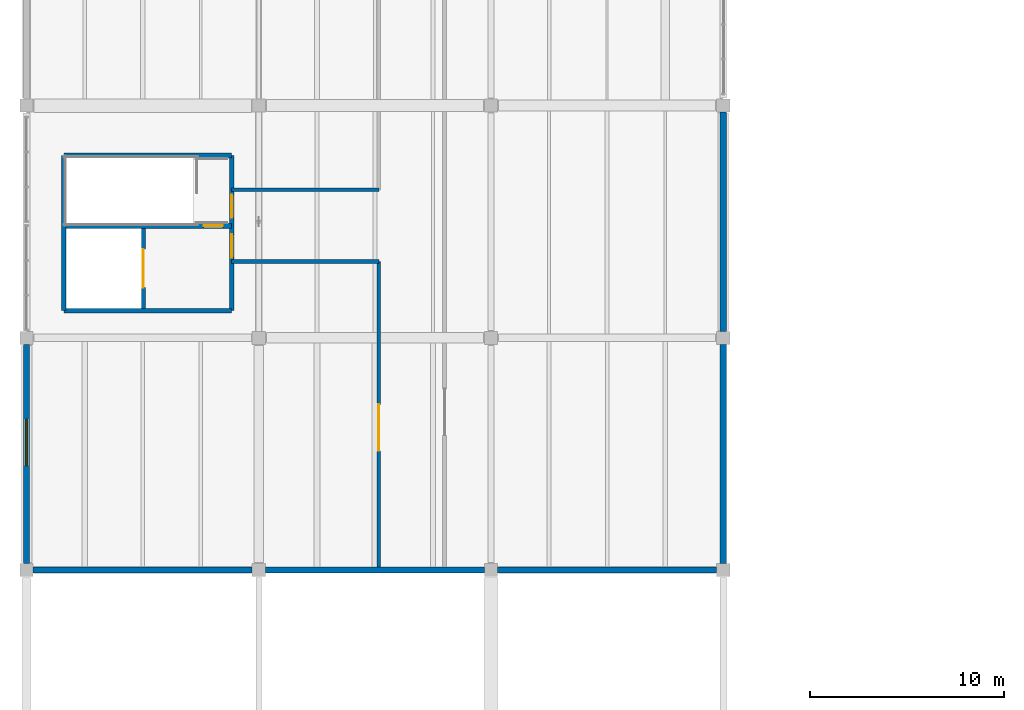
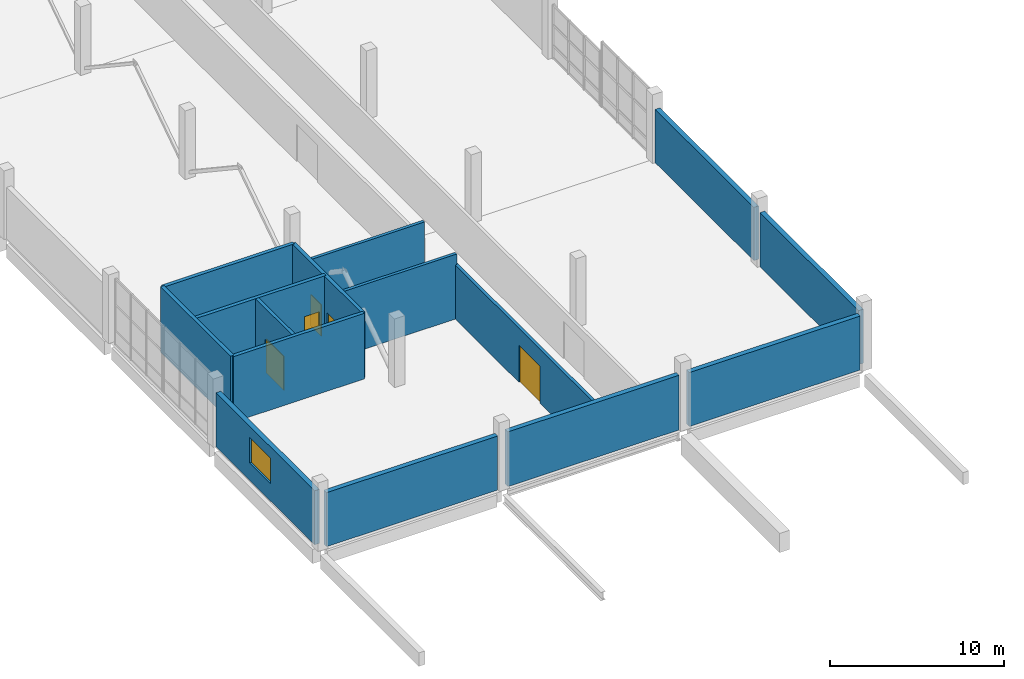
# One storey, part 37 of 49: 15 walls, 5 doors, 1 window, 6 openings.
"""IFC4 building model written with IfcOpenShell, lengths in metres."""

import ifcopenshell
import ifcopenshell.guid

model = None  # the IFC model being written
_history = None  # IfcOwnerHistory: only IFC2X3 demands one
_inside = {}  # id of a spatial element -> (the spatial element, [elements in it])
_under = {}  # id of a project, library or spatial element -> (it, [spatial elements below it])
_declared = {}  # id of a project -> (the project, [libraries it declares])
_typed = {}  # id of a type object -> (the type object, [elements of that type])
_made_of = {}  # id of a material, layer set ... -> (it, [elements and type objects made of it])


def new_model(schema):
    """Start an empty IFC model of exactly this schema.

    Asked for "IFC4X3", IfcOpenShell would pick the latest addendum, in which some entities
    have other attributes; the version numbers below select the first issue.
    IFC2X3 requires an IfcOwnerHistory on every rooted entity: one is made here for all.
    """
    global model, _history
    if schema == "IFC4X3":
        model = ifcopenshell.file(schema_version=(4, 3, 0, 0))
    else:
        model = ifcopenshell.file(schema=schema)
    _inside.clear()
    _under.clear()
    _declared.clear()
    _typed.clear()
    _made_of.clear()
    _history = None
    if model.schema == "IFC2X3":
        org = make("IfcOrganization", Name="unknown")
        user = make(
            "IfcPersonAndOrganization",
            ThePerson=make("IfcPerson", FamilyName="unknown"),
            TheOrganization=org,
        )
        app = make(
            "IfcApplication",
            ApplicationDeveloper=org,
            Version="unknown",
            ApplicationFullName="unknown",
            ApplicationIdentifier="unknown",
        )
        _history = make(
            "IfcOwnerHistory",
            OwningUser=user,
            OwningApplication=app,
            ChangeAction="ADDED",
            CreationDate=0,
        )
    return model


def make(cls, **values):
    """One entity of the class cls with the attributes given. An attribute that is None is left unset."""
    return model.create_entity(
        cls, **{name: value for name, value in values.items() if value is not None}
    )


def rooted(cls, **values):
    """An entity with a GlobalId (a new one), such as an element, a storey or a relation."""
    return make(cls, GlobalId=ifcopenshell.guid.new(), OwnerHistory=_history, **values)


def si_unit(unit_type, name, prefix=None):
    """IfcSIUnit, for example si_unit("LENGTHUNIT", "METRE", prefix="MILLI")."""
    return make("IfcSIUnit", UnitType=unit_type, Prefix=prefix, Name=name)


def assignment(units):
    """IfcUnitAssignment: the units of a project."""
    return None if units is None else make("IfcUnitAssignment", Units=units)


def point(xyz):
    """IfcCartesianPoint."""
    return None if xyz is None else make("IfcCartesianPoint", Coordinates=xyz)


def direction(xyz):
    """IfcDirection."""
    return None if xyz is None else make("IfcDirection", DirectionRatios=xyz)


def frame(location, z_axis=None, x_axis=None):
    """IfcAxis2Placement3D, a coordinate frame: its origin and axes. An axis left out is left unset."""
    return make(
        "IfcAxis2Placement3D",
        Location=point(location),
        Axis=direction(z_axis),
        RefDirection=direction(x_axis),
    )


def frame_2d(location, x_axis=None):
    """IfcAxis2Placement2D, a coordinate frame in the plane: its origin and x axis."""
    return make(
        "IfcAxis2Placement2D", Location=point(location), RefDirection=direction(x_axis)
    )


def origin():
    """The frame at (0, 0, 0) with its axes left unset."""
    return frame((0.0, 0.0, 0.0))


def place(relative_to, where):
    """IfcLocalPlacement: puts the frame where relative to a parent placement (None: the world)."""
    return make(
        "IfcLocalPlacement", PlacementRelTo=relative_to, RelativePlacement=where
    )


def context(
    kind, dimensions, precision=None, world=None, true_north=None, identifier=None
):
    """IfcGeometricRepresentationContext, for example the 3D "Model" context."""
    return make(
        "IfcGeometricRepresentationContext",
        ContextIdentifier=identifier,
        ContextType=kind,
        CoordinateSpaceDimension=dimensions,
        Precision=precision,
        WorldCoordinateSystem=world,
        TrueNorth=true_north,
    )


def subcontext(parent, identifier, kind, view, scale=None):
    """IfcGeometricRepresentationSubContext, for example "Body" below "Model"."""
    return make(
        "IfcGeometricRepresentationSubContext",
        ContextIdentifier=identifier,
        ContextType=kind,
        ParentContext=parent,
        TargetScale=scale,
        TargetView=view,
    )


def project(units=None, contexts=None):
    """IfcProject with its units and contexts."""
    return rooted(
        "IfcProject",
        Name="project",
        RepresentationContexts=contexts,
        UnitsInContext=assignment(units),
    )


def spatial(cls, under=None, at=None, **own):
    """A site, building, storey or space (cls), placed at a placement, below another one or the project."""
    s = rooted(cls, ObjectPlacement=at, **own)
    if under is not None:
        _under.setdefault(under.id(), (under, []))[1].append(s)
    return s


def profile(cls, at=None, kind="AREA", **sizes):
    """A parametric profile (cls). Its sizes go by their IFC names, for example OverallWidth=200.0."""
    return make(cls, ProfileType=kind, Position=at, **sizes)


def rectangle(**sizes):
    """IfcRectangleProfileDef."""
    return profile("IfcRectangleProfileDef", **sizes)


def extrude(swept, where, along, depth):
    """IfcExtrudedAreaSolid: the profile swept, set in the frame where, extruded along a direction by depth."""
    return make(
        "IfcExtrudedAreaSolid",
        SweptArea=swept,
        Position=where,
        ExtrudedDirection=direction(along),
        Depth=depth,
    )


def shape(context_of_items, identifier, shape_type, items):
    """IfcShapeRepresentation: the items that make up one representation, for example the "Body"."""
    return make(
        "IfcShapeRepresentation",
        ContextOfItems=context_of_items,
        RepresentationIdentifier=identifier,
        RepresentationType=shape_type,
        Items=items,
    )


def material(Name=None, Category=None):
    """IfcMaterial."""
    return make("IfcMaterial", Name=Name, Category=Category)


def layer(
    of_material, thickness, ventilated=None, Name=None, Category=None, Priority=None
):
    """IfcMaterialLayer: one layer of a wall or slab, of a material (None: an air gap)."""
    return make(
        "IfcMaterialLayer",
        Material=of_material,
        LayerThickness=thickness,
        IsVentilated=ventilated,
        Name=Name,
        Category=Category,
        Priority=Priority,
    )


def layer_set(layers, Name=None):
    """IfcMaterialLayerSet."""
    return make("IfcMaterialLayerSet", MaterialLayers=layers, LayerSetName=Name)


def made_of(thing, what):
    """Note that an element or type object is made of a material, layer set ...; save() writes the relation."""
    if what is not None:
        _made_of.setdefault(what.id(), (what, []))[1].append(thing)
    return thing


def type_object(cls, material=None, **own):
    """A type object (cls), such as IfcWallType, which elements share."""
    return made_of(rooted(cls, **own), material)


def element(
    cls,
    number,
    at=None,
    inside=None,
    cuts=None,
    type_object=None,
    material=None,
    context=None,
    identifier="Body",
    shape_type=None,
    held_by="IfcProductDefinitionShape",
    body=None,
    shapes=None,
    **own,
):
    """One element of the class cls, such as IfcWall. Its Tag is "e" and its number.

    at: its placement. inside: the storey or other place that contains it. cuts: it is an
    opening in that element (IfcRelVoidsElement). A single representation is given by context,
    identifier, shape_type and body (its items); several are given by shapes. held_by: the class
    of the entity that holds the representations. save() writes the other relations.
    """
    e = rooted(cls, Tag="e%d" % number, ObjectPlacement=at, **own)
    if body is not None:
        shapes = [shape(context, identifier, shape_type, body)]
    if shapes is not None:
        e.Representation = make(held_by, Representations=shapes)
    if inside is not None:
        _inside.setdefault(inside.id(), (inside, []))[1].append(e)
    if cuts is not None:
        rooted(
            "IfcRelVoidsElement", RelatingBuildingElement=cuts, RelatedOpeningElement=e
        )
    if type_object is not None:
        _typed.setdefault(type_object.id(), (type_object, []))[1].append(e)
    return made_of(e, material)


def fill(opening, filler):
    """IfcRelFillsElement: the door or window that sits in an opening."""
    return rooted(
        "IfcRelFillsElement",
        RelatingOpeningElement=opening,
        RelatedBuildingElement=filler,
    )


def aggregate(whole, parts):
    """IfcRelAggregates: a whole, such as a stair, and the parts it consists of."""
    return rooted("IfcRelAggregates", RelatingObject=whole, RelatedObjects=parts)


def save(model, path):
    """Write the relations noted so far, then the file.

    IfcRelAggregates (storeys below a building ...), IfcRelContainedInSpatialStructure (elements
    in a storey), IfcRelDefinesByType, IfcRelAssociatesMaterial and IfcRelDeclares: one each for
    every whole, place, type object, material and project.
    """
    for whole, parts in _under.values():
        aggregate(whole, parts)
    for where, things in _inside.values():
        rooted(
            "IfcRelContainedInSpatialStructure",
            RelatedElements=things,
            RelatingStructure=where,
        )
    for kind, things in _typed.values():
        rooted("IfcRelDefinesByType", RelatedObjects=things, RelatingType=kind)
    for what, things in _made_of.values():
        rooted("IfcRelAssociatesMaterial", RelatedObjects=things, RelatingMaterial=what)
    for by, libraries in _declared.values():
        rooted("IfcRelDeclares", RelatingContext=by, RelatedDefinitions=libraries)
    model.write(path)


model = new_model("IFC4")

# Units and contexts
model_context = context("Model", 3, precision=1e-05, world=origin(), true_north=direction((0.0, 1.0)))
body_context = subcontext(model_context, "Body", "Model", "MODEL_VIEW")
ifc_project = project(units=[si_unit("LENGTHUNIT", "METRE"), si_unit("AREAUNIT", "SQUARE_METRE"), si_unit("VOLUMEUNIT", "CUBIC_METRE"), si_unit("PLANEANGLEUNIT", "RADIAN"), si_unit("MASSUNIT", "GRAM", prefix="KILO")], contexts=[model_context])

# Site, building, storey
site_placement = place(None, origin())
site = spatial("IfcSite", under=ifc_project, at=site_placement, CompositionType="ELEMENT")
building_placement = place(site_placement, origin())
building = spatial("IfcBuilding", under=site, at=building_placement, Name="Kamomehara Wholesale Market", CompositionType="ELEMENT")
storey_placement = place(building_placement, frame((0.0, 0.0, 11.39990234375)))
storey = spatial("IfcBuildingStorey", under=building, at=storey_placement, Name="L02", CompositionType="ELEMENT", Elevation=11.39990234375)

# Wall, opening, window
ifc_material_1 = material(Name="Polyurethane insulated metal panel")
ifc_layer_1 = layer(ifc_material_1, 0.320068359375)
ifc_layer_set_1 = layer_set([ifc_layer_1], Name="Polyurethane insulated metal panel")
wall_type_1 = type_object("IfcWallType", Name="EW-CLD-320", PredefinedType="SOLIDWALL", material=ifc_layer_set_1)
wall_1_placement = place(storey_placement, frame((0.0, 48.340087890625, 0.0), z_axis=(0.0, 0.0, 1.0), x_axis=(0.0, 1.0, 0.0)))
wall_1 = element("IfcWall", 1, at=wall_1_placement, inside=storey, type_object=wall_type_1, Name="Exterior wall EW-CLD-320 43", PredefinedType="SOLIDWALL", context=body_context, shape_type="SweptSolid", body=[
    extrude(rectangle(XDim=11.31982421875, YDim=0.320068359375, at=frame_2d((5.659912109375, 0.0))), origin(), (0.0, 0.0, 1.0), 3.780029296875),
])
opening_1_placement = place(wall_1_placement, frame((5.06005859375, 0.0, 1.199951171875)))
opening_1 = element("IfcOpeningElement", 2, at=opening_1_placement, cuts=wall_1, Name="Opening WN-L02-005", PredefinedType="OPENING", context=body_context, shape_type="SweptSolid", body=[
    extrude(rectangle(XDim=2.39990234375, YDim=1.800048828125, at=frame_2d((1.199951171875, 0.89990234375))), frame((0.0, 0.1748046875, 0.0), z_axis=(0.0, -1.0, 0.0), x_axis=(1.0, 0.0, 0.0)), (0.0, 0.0, 1.0), 0.349853515625),
])
ifc_material_2 = material(Name="Solar-control Low-E double glazing", Category="glass")
window_type = type_object("IfcWindowType", Name="WIN-2400x1800", PartitioningType="SINGLE_PANEL", PredefinedType="WINDOW", material=ifc_material_2)
window_placement = place(opening_1_placement, origin())
window = element("IfcWindow", 3, at=window_placement, inside=storey, type_object=window_type, Name="Exterior window WN-L02-005", OverallHeight=1.800048828125, OverallWidth=2.39990234375, PartitioningType="SINGLE_PANEL", PredefinedType="WINDOW", context=body_context, shape_type="SweptSolid", body=[
    extrude(rectangle(XDim=2.39990234375, YDim=1.800048828125, at=frame_2d((1.199951171875, 0.89990234375))), frame((0.0, 0.030029296875, 0.0), z_axis=(0.0, -1.0, 0.0), x_axis=(1.0, 0.0, 0.0)), (0.0, 0.0, 1.0), 0.06005859375),
])
fill(opening_1, window)

# Walls
wall_2_placement = place(storey_placement, frame((11.659912109375, 48.0, 0.0), z_axis=(0.0, 0.0, 1.0), x_axis=(-1.0, 0.0, 0.0)))
element("IfcWall", 4, at=wall_2_placement, inside=storey, type_object=wall_type_1, Name="Exterior wall EW-CLD-320 48", PredefinedType="SOLIDWALL", context=body_context, shape_type="SweptSolid", body=[
    extrude(rectangle(XDim=11.31982421875, YDim=0.320068359375, at=frame_2d((5.659912109375, 0.0))), origin(), (0.0, 0.0, 1.0), 3.780029296875),
])
wall_3_placement = place(storey_placement, frame((23.659912109375, 48.0, 0.0), z_axis=(0.0, 0.0, 1.0), x_axis=(-1.0, 0.0, 0.0)))
element("IfcWall", 5, at=wall_3_placement, inside=storey, type_object=wall_type_1, Name="Exterior wall EW-CLD-320 50", PredefinedType="SOLIDWALL", context=body_context, shape_type="SweptSolid", body=[
    extrude(rectangle(XDim=11.31982421875, YDim=0.320068359375, at=frame_2d((5.659912109375, 0.0))), origin(), (0.0, 0.0, 1.0), 3.830078125),
])
for number, where, z_axis, x_axis, name in (
    (6, (35.659912109375, 48.0, 0.0), (0.0, 0.0, 1.0), (-1.0, 0.0, 0.0), "Exterior wall EW-CLD-320 52"),
    (7, (36.0, 59.659912109375, 0.0), (0.0, 0.0, 1.0), (0.0, -1.0, 0.0), "Exterior wall EW-CLD-320 53"),
):
    element("IfcWall", number, at=place(storey_placement, frame(where, z_axis=z_axis, x_axis=x_axis)), inside=storey, type_object=wall_type_1, Name=name, PredefinedType="SOLIDWALL", context=body_context, shape_type="SweptSolid", body=[
        extrude(rectangle(XDim=11.31982421875, YDim=0.320068359375, at=frame_2d((5.659912109375, 0.0))), origin(), (0.0, 0.0, 1.0), 3.780029296875),
    ])
wall_4_placement = place(storey_placement, frame((36.0, 71.659912109375, 0.0), z_axis=(0.0, 0.0, 1.0), x_axis=(0.0, -1.0, 0.0)))
element("IfcWall", 8, at=wall_4_placement, inside=storey, type_object=wall_type_1, Name="Exterior wall EW-CLD-320 54", PredefinedType="SOLIDWALL", context=body_context, shape_type="SweptSolid", body=[
    extrude(rectangle(XDim=11.31982421875, YDim=0.320068359375, at=frame_2d((5.659912109375, 0.0))), origin(), (0.0, 0.0, 1.0), 3.72998046875),
])

# Wall, opening, door
ifc_material_3 = material(Name="Gypsum board partition")
ifc_layer_2 = layer(ifc_material_3, 0.199951171875)
ifc_layer_set_2 = layer_set([ifc_layer_2], Name="Gypsum board partition")
wall_type_2 = type_object("IfcWallType", Name="IW-PRT-200", PredefinedType="PARTITIONING", material=ifc_layer_set_2)
wall_5_placement = place(storey_placement, frame((18.199951171875, 48.159912109375, 0.0), z_axis=(0.0, 0.0, 1.0), x_axis=(0.0, 1.0, 0.0)))
wall_5 = element("IfcWall", 9, at=wall_5_placement, inside=storey, type_object=wall_type_2, Name="Interior wall IW-PRT-200 343", PredefinedType="PARTITIONING", context=body_context, shape_type="SweptSolid", body=[
    extrude(rectangle(XDim=15.7900390625, YDim=0.199951171875, at=frame_2d((7.89501953125, 0.0))), origin(), (0.0, 0.0, 1.0), 3.78515625),
])
opening_2_placement = place(wall_5_placement, frame((6.0, 0.0, 0.0)))
opening_2 = element("IfcOpeningElement", 10, at=opening_2_placement, cuts=wall_5, Name="Opening ID-L02-215", PredefinedType="OPENING", context=body_context, shape_type="SweptSolid", body=[
    extrude(rectangle(XDim=2.39990234375, YDim=2.60009765625, at=frame_2d((1.199951171875, 1.300048828125))), frame((0.0, 0.11474609375, 0.0), z_axis=(0.0, -1.0, 0.0), x_axis=(1.0, 0.0, 0.0)), (0.0, 0.0, 1.0), 0.229736328125),
])
ifc_material_4 = material(Name="Steel SN400B", Category="steel")
door_type_1 = type_object("IfcDoorType", Name="IDR-CL-2400x2600", OperationType="NOTDEFINED", PredefinedType="DOOR", material=ifc_material_4)
door_1_placement = place(opening_2_placement, origin())
door_1 = element("IfcDoor", 11, at=door_1_placement, inside=storey, type_object=door_type_1, Name="Interior door ID-L02-215", OperationType="SINGLE_SWING_LEFT", OverallHeight=2.60009765625, OverallWidth=2.39990234375, PredefinedType="DOOR", context=body_context, shape_type="SweptSolid", body=[
    extrude(rectangle(XDim=2.39990234375, YDim=2.60009765625, at=frame_2d((1.199951171875, 1.300048828125))), frame((0.0, 0.02490234375, 0.0), z_axis=(0.0, -1.0, 0.0), x_axis=(1.0, 0.0, 0.0)), (0.0, 0.0, 1.0), 0.050048828125),
])
fill(opening_2, door_1)

# Walls
for number, where, z_axis, x_axis, name in (
    (12, (10.60009765625, 63.949951171875, 0.0), (0.0, 0.0, 1.0), (1.0, 0.0, 0.0), "Interior wall IW-PRT-200 344"),
    (13, (10.60009765625, 67.64990234375, 0.0), (0.0, 0.0, 1.0), (1.0, 0.0, 0.0), "Interior wall IW-PRT-200 345"),
):
    element("IfcWall", number, at=place(storey_placement, frame(where, z_axis=z_axis, x_axis=x_axis)), inside=storey, type_object=wall_type_2, Name=name, PredefinedType="PARTITIONING", context=body_context, shape_type="SweptSolid", body=[
        extrude(rectangle(XDim=7.599853515625, YDim=0.199951171875, at=frame_2d((3.7998046875, 0.0))), origin(), (0.0, 0.0, 1.0), 4.52001953125),
    ])

# Wall, opening, door
ifc_material_5 = material(Name="Concrete Fc36 (C35/45)", Category="concrete")
ifc_layer_3 = layer(ifc_material_5, 0.219970703125)
ifc_layer_set_3 = layer_set([ifc_layer_3], Name="Concrete Fc36 (C35/45)")
wall_type_3 = type_object("IfcWallType", Name="IW-SHR-220", PredefinedType="SHEAR", material=ifc_layer_set_3)
wall_6_placement = place(storey_placement, frame((6.0400390625, 61.52001953125, 0.0), z_axis=(0.0, 0.0, 1.0), x_axis=(0.0, 1.0, 0.0)))
wall_6 = element("IfcWall", 14, at=wall_6_placement, inside=storey, type_object=wall_type_3, Name="Interior wall IW-SHR-220 42", PredefinedType="SHEAR", context=body_context, shape_type="SweptSolid", body=[
    extrude(rectangle(XDim=4.139892578125, YDim=0.219970703125, at=frame_2d((2.06982421875, 0.0))), origin(), (0.0, 0.0, 1.0), 4.590087890625),
])
opening_3_placement = place(wall_6_placement, frame((1.070068359375, 0.0, 0.0)))
opening_3 = element("IfcOpeningElement", 15, at=opening_3_placement, cuts=wall_6, Name="Opening LD-LF-02-L02", PredefinedType="OPENING", context=body_context, shape_type="SweptSolid", body=[
    extrude(rectangle(XDim=2.0, YDim=2.39990234375, at=frame_2d((1.0, 1.199951171875))), frame((0.0, 0.125, 0.0), z_axis=(0.0, -1.0, 0.0), x_axis=(1.0, 0.0, 0.0)), (0.0, 0.0, 1.0), 0.249755859375),
])
ifc_material_6 = material(Name="Steel SN400B", Category="steel")
door_type_2 = type_object("IfcDoorType", Name="LDR-GDS-2000x2400", OperationType="DOUBLE_DOOR_SLIDING", PredefinedType="DOOR", material=ifc_material_6)
door_2_placement = place(opening_3_placement, origin())
door_2 = element("IfcDoor", 16, at=door_2_placement, inside=storey, type_object=door_type_2, Name="Lift sliding landing door LD-LF-02-L02", OperationType="DOUBLE_DOOR_SLIDING", OverallHeight=2.39990234375, OverallWidth=2.0, PredefinedType="DOOR", context=body_context, shape_type="SweptSolid", body=[
    extrude(rectangle(XDim=2.0, YDim=2.39990234375, at=frame_2d((1.0, 1.199951171875))), frame((0.0, 0.02490234375, 0.0), z_axis=(0.0, -1.0, 0.0), x_axis=(1.0, 0.0, 0.0)), (0.0, 0.0, 1.0), 0.050048828125),
])
fill(opening_3, door_2)

# Walls
ifc_material_7 = material(Name="Concrete Fc36 (C35/45)", Category="concrete")
ifc_layer_4 = layer(ifc_material_7, 0.239990234375)
ifc_layer_set_4 = layer_set([ifc_layer_4], Name="Concrete Fc36 (C35/45)")
wall_type_4 = type_object("IfcWallType", Name="IW-SHR-240", PredefinedType="SHEAR", material=ifc_layer_set_4)
wall_7_placement = place(storey_placement, frame((10.60009765625, 69.419921875, 0.0), z_axis=(0.0, 0.0, 1.0), x_axis=(-1.0, 0.0, 0.0)))
element("IfcWall", 17, at=wall_7_placement, inside=storey, type_object=wall_type_4, Name="Interior wall IW-SHR-240 37", PredefinedType="SHEAR", context=body_context, shape_type="SweptSolid", body=[
    extrude(rectangle(XDim=8.670166015625, YDim=0.239990234375, at=frame_2d((4.3349609375, 0.0))), origin(), (0.0, 0.0, 1.0), 4.590087890625),
])
wall_8_placement = place(storey_placement, frame((1.929931640625, 69.419921875, 0.0), z_axis=(0.0, 0.0, 1.0), x_axis=(0.0, -1.0, 0.0)))
element("IfcWall", 18, at=wall_8_placement, inside=storey, type_object=wall_type_4, Name="Interior wall IW-SHR-240 38", PredefinedType="SHEAR", context=body_context, shape_type="SweptSolid", body=[
    extrude(rectangle(XDim=8.02001953125, YDim=0.239990234375, at=frame_2d((4.010009765625, 0.0))), origin(), (0.0, 0.0, 1.0), 4.590087890625),
])
wall_9_placement = place(storey_placement, frame((1.929931640625, 61.39990234375, 0.0), z_axis=(0.0, 0.0, 1.0), x_axis=(1.0, 0.0, 0.0)))
element("IfcWall", 19, at=wall_9_placement, inside=storey, type_object=wall_type_4, Name="Interior wall IW-SHR-240 39", PredefinedType="SHEAR", context=body_context, shape_type="SweptSolid", body=[
    extrude(rectangle(XDim=8.670166015625, YDim=0.239990234375, at=frame_2d((4.3349609375, 0.0))), origin(), (0.0, 0.0, 1.0), 4.590087890625),
])

# Wall, opening, door
wall_10_placement = place(storey_placement, frame((1.929931640625, 65.780029296875, 0.0), z_axis=(0.0, 0.0, 1.0), x_axis=(1.0, 0.0, 0.0)))
wall_10 = element("IfcWall", 20, at=wall_10_placement, inside=storey, type_object=wall_type_4, Name="Interior wall IW-SHR-240 40", PredefinedType="SHEAR", context=body_context, shape_type="SweptSolid", body=[
    extrude(rectangle(XDim=8.670166015625, YDim=0.239990234375, at=frame_2d((4.3349609375, 0.0))), origin(), (0.0, 0.0, 1.0), 4.590087890625),
])
opening_4_placement = place(wall_10_placement, frame((7.219970703125, 0.0, 0.0)))
opening_4 = element("IfcOpeningElement", 21, at=opening_4_placement, cuts=wall_10, Name="Opening FD-L02-C3I", PredefinedType="OPENING", context=body_context, shape_type="SweptSolid", body=[
    extrude(rectangle(XDim=1.0, YDim=2.199951171875, at=frame_2d((0.5, 1.10009765625))), frame((0.0, 0.134765625, 0.0), z_axis=(0.0, -1.0, 0.0), x_axis=(1.0, 0.0, 0.0)), (0.0, 0.0, 1.0), 0.269775390625),
])
ifc_material_8 = material(Name="Anodised aluminium 6063-T5", Category="aluminium")
door_type_3 = type_object("IfcDoorType", Name="IDR-RM-1000x2200", OperationType="NOTDEFINED", PredefinedType="DOOR", material=ifc_material_8)
door_3_placement = place(opening_4_placement, origin())
door_3 = element("IfcDoor", 22, at=door_3_placement, inside=storey, type_object=door_type_3, Name="Core lobby-stair fire door FD-L02-C3I", OperationType="SINGLE_SWING_LEFT", OverallHeight=2.199951171875, OverallWidth=1.0, PredefinedType="DOOR", context=body_context, shape_type="SweptSolid", body=[
    extrude(rectangle(XDim=1.0, YDim=2.199951171875, at=frame_2d((0.5, 1.10009765625))), frame((0.0, 0.02490234375, 0.0), z_axis=(0.0, -1.0, 0.0), x_axis=(1.0, 0.0, 0.0)), (0.0, 0.0, 1.0), 0.050048828125),
])
fill(opening_4, door_3)

# Wall, openings, doors
wall_11_placement = place(storey_placement, frame((10.60009765625, 61.39990234375, 0.0), z_axis=(0.0, 0.0, 1.0), x_axis=(0.0, 1.0, 0.0)))
wall_11 = element("IfcWall", 23, at=wall_11_placement, inside=storey, type_object=wall_type_4, Name="Interior wall IW-SHR-240 41", PredefinedType="SHEAR", context=body_context, shape_type="SweptSolid", body=[
    extrude(rectangle(XDim=8.02001953125, YDim=0.239990234375, at=frame_2d((4.010009765625, 0.0))), origin(), (0.0, 0.0, 1.0), 4.590087890625),
])
opening_5_placement = place(wall_11_placement, frame((2.75, 0.0, 0.0)))
opening_5 = element("IfcOpeningElement", 24, at=opening_5_placement, cuts=wall_11, Name="Opening FD-L02-C3L", PredefinedType="OPENING", context=body_context, shape_type="SweptSolid", body=[
    extrude(rectangle(XDim=1.199951171875, YDim=2.199951171875, at=frame_2d((0.60009765625, 1.10009765625))), frame((0.0, 0.134765625, 0.0), z_axis=(0.0, -1.0, 0.0), x_axis=(1.0, 0.0, 0.0)), (0.0, 0.0, 1.0), 0.269775390625),
])
opening_6_placement = place(wall_11_placement, frame((4.800048828125, 0.0, 0.0)))
opening_6 = element("IfcOpeningElement", 25, at=opening_6_placement, cuts=wall_11, Name="Opening FD-L02-C3S", PredefinedType="OPENING", context=body_context, shape_type="SweptSolid", body=[
    extrude(rectangle(XDim=1.199951171875, YDim=2.199951171875, at=frame_2d((0.60009765625, 1.10009765625))), frame((0.0, 0.134765625, 0.0), z_axis=(0.0, -1.0, 0.0), x_axis=(1.0, 0.0, 0.0)), (0.0, 0.0, 1.0), 0.269775390625),
])
ifc_material_9 = material(Name="Steel SN400B", Category="steel")
door_type_4 = type_object("IfcDoorType", Name="IDR-FD-1200x2200", OperationType="NOTDEFINED", PredefinedType="DOOR", material=ifc_material_9)
door_4_placement = place(opening_5_placement, origin())
door_4 = element("IfcDoor", 26, at=door_4_placement, inside=storey, type_object=door_type_4, Name="Lift lobby fire door FD-L02-C3L", OperationType="SINGLE_SWING_LEFT", OverallHeight=2.199951171875, OverallWidth=1.199951171875, PredefinedType="DOOR", context=body_context, shape_type="SweptSolid", body=[
    extrude(rectangle(XDim=1.199951171875, YDim=2.199951171875, at=frame_2d((0.60009765625, 1.10009765625))), frame((0.0, 0.02490234375, 0.0), z_axis=(0.0, -1.0, 0.0), x_axis=(1.0, 0.0, 0.0)), (0.0, 0.0, 1.0), 0.050048828125),
])
fill(opening_5, door_4)
door_5_placement = place(opening_6_placement, origin())
door_5 = element("IfcDoor", 27, at=door_5_placement, inside=storey, type_object=door_type_4, Name="Stair fire door FD-L02-C3S", OperationType="SINGLE_SWING_RIGHT", OverallHeight=2.199951171875, OverallWidth=1.199951171875, PredefinedType="DOOR", context=body_context, shape_type="SweptSolid", body=[
    extrude(rectangle(XDim=1.199951171875, YDim=2.199951171875, at=frame_2d((0.60009765625, 1.10009765625))), frame((0.0, 0.02490234375, 0.0), z_axis=(0.0, -1.0, 0.0), x_axis=(1.0, 0.0, 0.0)), (0.0, 0.0, 1.0), 0.050048828125),
])
fill(opening_6, door_5)

save(model, "model.ifc")
